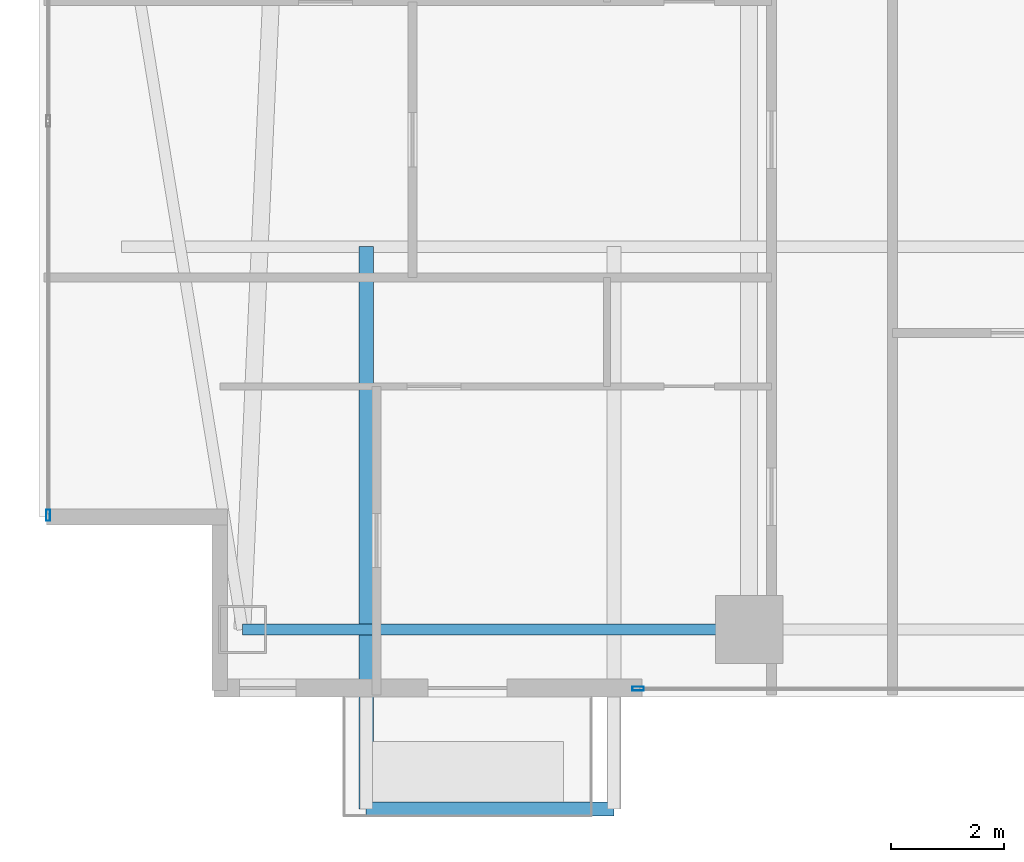
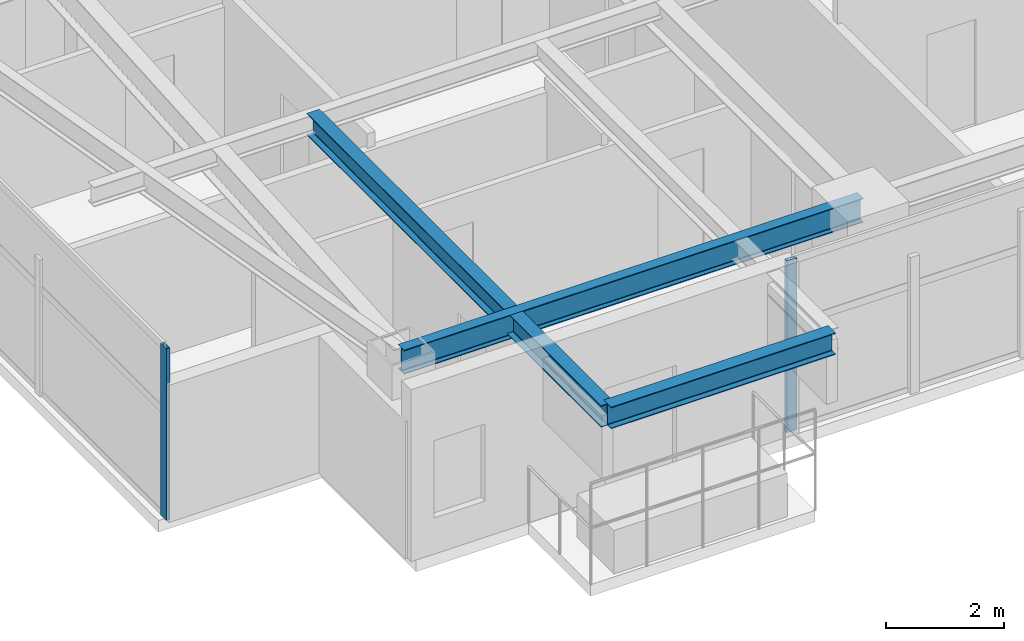
# One storey, part 2 of 29: 3 beams, 2 members, 2 elements without a shape of their own.
"""IFC4 building model written with IfcOpenShell, lengths in metres."""

import ifcopenshell
import ifcopenshell.guid

model = None  # the IFC model being written
_history = None  # IfcOwnerHistory: only IFC2X3 demands one
_inside = {}  # id of a spatial element -> (the spatial element, [elements in it])
_under = {}  # id of a project, library or spatial element -> (it, [spatial elements below it])
_declared = {}  # id of a project -> (the project, [libraries it declares])
_typed = {}  # id of a type object -> (the type object, [elements of that type])
_made_of = {}  # id of a material, layer set ... -> (it, [elements and type objects made of it])


def new_model(schema):
    """Start an empty IFC model of exactly this schema.

    Asked for "IFC4X3", IfcOpenShell would pick the latest addendum, in which some entities
    have other attributes; the version numbers below select the first issue.
    IFC2X3 requires an IfcOwnerHistory on every rooted entity: one is made here for all.
    """
    global model, _history
    if schema == "IFC4X3":
        model = ifcopenshell.file(schema_version=(4, 3, 0, 0))
    else:
        model = ifcopenshell.file(schema=schema)
    _inside.clear()
    _under.clear()
    _declared.clear()
    _typed.clear()
    _made_of.clear()
    _history = None
    if model.schema == "IFC2X3":
        org = make("IfcOrganization", Name="unknown")
        user = make(
            "IfcPersonAndOrganization",
            ThePerson=make("IfcPerson", FamilyName="unknown"),
            TheOrganization=org,
        )
        app = make(
            "IfcApplication",
            ApplicationDeveloper=org,
            Version="unknown",
            ApplicationFullName="unknown",
            ApplicationIdentifier="unknown",
        )
        _history = make(
            "IfcOwnerHistory",
            OwningUser=user,
            OwningApplication=app,
            ChangeAction="ADDED",
            CreationDate=0,
        )
    return model


def make(cls, **values):
    """One entity of the class cls with the attributes given. An attribute that is None is left unset."""
    return model.create_entity(
        cls, **{name: value for name, value in values.items() if value is not None}
    )


def rooted(cls, **values):
    """An entity with a GlobalId (a new one), such as an element, a storey or a relation."""
    return make(cls, GlobalId=ifcopenshell.guid.new(), OwnerHistory=_history, **values)


def si_unit(unit_type, name, prefix=None):
    """IfcSIUnit, for example si_unit("LENGTHUNIT", "METRE", prefix="MILLI")."""
    return make("IfcSIUnit", UnitType=unit_type, Prefix=prefix, Name=name)


def assignment(units):
    """IfcUnitAssignment: the units of a project."""
    return None if units is None else make("IfcUnitAssignment", Units=units)


def point(xyz):
    """IfcCartesianPoint."""
    return None if xyz is None else make("IfcCartesianPoint", Coordinates=xyz)


def direction(xyz):
    """IfcDirection."""
    return None if xyz is None else make("IfcDirection", DirectionRatios=xyz)


def frame(location, z_axis=None, x_axis=None):
    """IfcAxis2Placement3D, a coordinate frame: its origin and axes. An axis left out is left unset."""
    return make(
        "IfcAxis2Placement3D",
        Location=point(location),
        Axis=direction(z_axis),
        RefDirection=direction(x_axis),
    )


def frame_2d(location, x_axis=None):
    """IfcAxis2Placement2D, a coordinate frame in the plane: its origin and x axis."""
    return make(
        "IfcAxis2Placement2D", Location=point(location), RefDirection=direction(x_axis)
    )


def origin():
    """The frame at (0, 0, 0) with its axes left unset."""
    return frame((0.0, 0.0, 0.0))


def origin_2d():
    """The frame at (0, 0) in the plane with its x axis left unset."""
    return frame_2d((0.0, 0.0))


def place(relative_to, where):
    """IfcLocalPlacement: puts the frame where relative to a parent placement (None: the world)."""
    return make(
        "IfcLocalPlacement", PlacementRelTo=relative_to, RelativePlacement=where
    )


def context(
    kind, dimensions, precision=None, world=None, true_north=None, identifier=None
):
    """IfcGeometricRepresentationContext, for example the 3D "Model" context."""
    return make(
        "IfcGeometricRepresentationContext",
        ContextIdentifier=identifier,
        ContextType=kind,
        CoordinateSpaceDimension=dimensions,
        Precision=precision,
        WorldCoordinateSystem=world,
        TrueNorth=true_north,
    )


def subcontext(parent, identifier, kind, view, scale=None):
    """IfcGeometricRepresentationSubContext, for example "Body" below "Model"."""
    return make(
        "IfcGeometricRepresentationSubContext",
        ContextIdentifier=identifier,
        ContextType=kind,
        ParentContext=parent,
        TargetScale=scale,
        TargetView=view,
    )


def project(units=None, contexts=None):
    """IfcProject with its units and contexts."""
    return rooted(
        "IfcProject",
        Name="project",
        RepresentationContexts=contexts,
        UnitsInContext=assignment(units),
    )


def spatial(cls, under=None, at=None, **own):
    """A site, building, storey or space (cls), placed at a placement, below another one or the project."""
    s = rooted(cls, ObjectPlacement=at, **own)
    if under is not None:
        _under.setdefault(under.id(), (under, []))[1].append(s)
    return s


def profile(cls, at=None, kind="AREA", **sizes):
    """A parametric profile (cls). Its sizes go by their IFC names, for example OverallWidth=200.0."""
    return make(cls, ProfileType=kind, Position=at, **sizes)


def hollow_rectangle(**sizes):
    """IfcRectangleHollowProfileDef."""
    return profile("IfcRectangleHollowProfileDef", **sizes)


def i_section(**sizes):
    """IfcIShapeProfileDef."""
    return profile("IfcIShapeProfileDef", **sizes)


def extrude(swept, where, along, depth):
    """IfcExtrudedAreaSolid: the profile swept, set in the frame where, extruded along a direction by depth."""
    return make(
        "IfcExtrudedAreaSolid",
        SweptArea=swept,
        Position=where,
        ExtrudedDirection=direction(along),
        Depth=depth,
    )


def shape(context_of_items, identifier, shape_type, items):
    """IfcShapeRepresentation: the items that make up one representation, for example the "Body"."""
    return make(
        "IfcShapeRepresentation",
        ContextOfItems=context_of_items,
        RepresentationIdentifier=identifier,
        RepresentationType=shape_type,
        Items=items,
    )


def material(Name=None, Category=None):
    """IfcMaterial."""
    return make("IfcMaterial", Name=Name, Category=Category)


def layer(
    of_material, thickness, ventilated=None, Name=None, Category=None, Priority=None
):
    """IfcMaterialLayer: one layer of a wall or slab, of a material (None: an air gap)."""
    return make(
        "IfcMaterialLayer",
        Material=of_material,
        LayerThickness=thickness,
        IsVentilated=ventilated,
        Name=Name,
        Category=Category,
        Priority=Priority,
    )


def layer_set(layers, Name=None):
    """IfcMaterialLayerSet."""
    return make("IfcMaterialLayerSet", MaterialLayers=layers, LayerSetName=Name)


def material_profile(
    of_material, cross_section, Name=None, Category=None, Priority=None
):
    """IfcMaterialProfile: a cross section and its material."""
    return make(
        "IfcMaterialProfile",
        Name=Name,
        Material=of_material,
        Profile=cross_section,
        Priority=Priority,
        Category=Category,
    )


def profile_set(profiles, Name=None, composite=None):
    """IfcMaterialProfileSet."""
    return make(
        "IfcMaterialProfileSet",
        Name=Name,
        MaterialProfiles=profiles,
        CompositeProfile=composite,
    )


def made_of(thing, what):
    """Note that an element or type object is made of a material, layer set ...; save() writes the relation."""
    if what is not None:
        _made_of.setdefault(what.id(), (what, []))[1].append(thing)
    return thing


def type_object(cls, material=None, **own):
    """A type object (cls), such as IfcWallType, which elements share."""
    return made_of(rooted(cls, **own), material)


def element(
    cls,
    number,
    at=None,
    inside=None,
    cuts=None,
    type_object=None,
    material=None,
    context=None,
    identifier="Body",
    shape_type=None,
    held_by="IfcProductDefinitionShape",
    body=None,
    shapes=None,
    **own,
):
    """One element of the class cls, such as IfcWall. Its Tag is "e" and its number.

    at: its placement. inside: the storey or other place that contains it. cuts: it is an
    opening in that element (IfcRelVoidsElement). A single representation is given by context,
    identifier, shape_type and body (its items); several are given by shapes. held_by: the class
    of the entity that holds the representations. save() writes the other relations.
    """
    e = rooted(cls, Tag="e%d" % number, ObjectPlacement=at, **own)
    if body is not None:
        shapes = [shape(context, identifier, shape_type, body)]
    if shapes is not None:
        e.Representation = make(held_by, Representations=shapes)
    if inside is not None:
        _inside.setdefault(inside.id(), (inside, []))[1].append(e)
    if cuts is not None:
        rooted(
            "IfcRelVoidsElement", RelatingBuildingElement=cuts, RelatedOpeningElement=e
        )
    if type_object is not None:
        _typed.setdefault(type_object.id(), (type_object, []))[1].append(e)
    return made_of(e, material)


def aggregate(whole, parts):
    """IfcRelAggregates: a whole, such as a stair, and the parts it consists of."""
    return rooted("IfcRelAggregates", RelatingObject=whole, RelatedObjects=parts)


def save(model, path):
    """Write the relations noted so far, then the file.

    IfcRelAggregates (storeys below a building ...), IfcRelContainedInSpatialStructure (elements
    in a storey), IfcRelDefinesByType, IfcRelAssociatesMaterial and IfcRelDeclares: one each for
    every whole, place, type object, material and project.
    """
    for whole, parts in _under.values():
        aggregate(whole, parts)
    for where, things in _inside.values():
        rooted(
            "IfcRelContainedInSpatialStructure",
            RelatedElements=things,
            RelatingStructure=where,
        )
    for kind, things in _typed.values():
        rooted("IfcRelDefinesByType", RelatedObjects=things, RelatingType=kind)
    for what, things in _made_of.values():
        rooted("IfcRelAssociatesMaterial", RelatedObjects=things, RelatingMaterial=what)
    for by, libraries in _declared.values():
        rooted("IfcRelDeclares", RelatingContext=by, RelatedDefinitions=libraries)
    model.write(path)


model = new_model("IFC4")

# Units and contexts
model_context = context("Model", 3, precision=1e-05, world=origin(), true_north=direction((0.0, 1.0)))
body_context = subcontext(model_context, "Body", "Model", "MODEL_VIEW")
ifc_project = project(units=[si_unit("LENGTHUNIT", "METRE"), si_unit("AREAUNIT", "SQUARE_METRE"), si_unit("VOLUMEUNIT", "CUBIC_METRE"), si_unit("PLANEANGLEUNIT", "RADIAN"), si_unit("MASSUNIT", "GRAM", prefix="KILO")], contexts=[model_context])

# Site, building, storey
site_placement = place(None, origin())
site = spatial("IfcSite", under=ifc_project, at=site_placement, CompositionType="ELEMENT")
building_placement = place(site_placement, origin())
building = spatial("IfcBuilding", under=site, at=building_placement, Name="Calvorn Quay Hotel", CompositionType="ELEMENT")
storey_placement = place(building_placement, frame((0.0, 0.0, 124.0)))
storey = spatial("IfcBuildingStorey", under=building, at=storey_placement, Name="L30", CompositionType="ELEMENT", Elevation=124.0)

# Beams
ifc_material_1 = material(Name="Steel Q355B", Category="steel")
ifc_material_profile_1 = material_profile(ifc_material_1, i_section(OverallWidth=0.25, OverallDepth=0.449951171875, WebThickness=0.011962890625, FlangeThickness=0.01611328125, FilletRadius=0.01611328125, at=origin_2d()), Name="HN450x250x12x16")
ifc_profile_set_1 = profile_set([ifc_material_profile_1], Name="Steel Q355B")
beam_type_1 = type_object("IfcBeamType", Name="BM-CANT-BALC", PredefinedType="BEAM", material=ifc_profile_set_1)
beam_1_placement = place(storey_placement, frame((5.800048828125, 10.39990234375, 3.31494140625), z_axis=(0.0, -1.0, 0.0), x_axis=(1.0, 0.0, 0.0)))
element("IfcBeam", 1, at=beam_1_placement, inside=storey, type_object=beam_type_1, Name="Cantilever Balcony Beam BCB-L31-2A", PredefinedType="BEAM", context=body_context, shape_type="SweptSolid", body=[
    extrude(i_section(OverallWidth=0.25, OverallDepth=0.449951171875, WebThickness=0.011962890625, FlangeThickness=0.01611328125, FilletRadius=0.01611328125, at=origin_2d()), origin(), (0.0, 0.0, 1.0), 9.989990234375),
])
beam_2_placement = place(storey_placement, frame((5.800048828125, 0.409912109375, 3.31494140625), z_axis=(1.0, 0.0, 0.0), x_axis=(0.0, 1.0, 0.0)))
element("IfcBeam", 2, at=beam_2_placement, inside=storey, type_object=beam_type_1, Name="Beam BCBO-L31-2", PredefinedType="BEAM", context=body_context, shape_type="SweptSolid", body=[
    extrude(i_section(OverallWidth=0.25, OverallDepth=0.449951171875, WebThickness=0.011962890625, FlangeThickness=0.01611328125, FilletRadius=0.01611328125, at=origin_2d()), origin(), (0.0, 0.0, 1.0), 4.39990234375),
])
ifc_material_2 = material(Name="Steel Q355B", Category="steel")
ifc_material_profile_2 = material_profile(ifc_material_2, i_section(OverallWidth=0.199951171875, OverallDepth=0.5, WebThickness=0.010009765625, FlangeThickness=0.01611328125, FilletRadius=0.01611328125, at=origin_2d()), Name="HN500x200x10x16")
ifc_profile_set_2 = profile_set([ifc_material_profile_2], Name="Steel Q355B")
beam_type_2 = type_object("IfcBeamType", Name="BM-SPANDREL-Z1", PredefinedType="SPANDREL", material=ifc_profile_set_2)
beam_3_placement = place(storey_placement, frame((3.60009765625, 3.60009765625, 3.2900390625), z_axis=(1.0, 0.0, 0.0), x_axis=(0.0, 1.0, 0.0)))
element("IfcBeam", 3, at=beam_3_placement, inside=storey, type_object=beam_type_2, Name="Beam BSP-L30-S1", PredefinedType="SPANDREL", context=body_context, shape_type="SweptSolid", body=[
    extrude(i_section(OverallWidth=0.199951171875, OverallDepth=0.5, WebThickness=0.010009765625, FlangeThickness=0.01611328125, FilletRadius=0.01611328125, at=origin_2d()), origin(), (0.0, 0.0, 1.0), 9.0),
])

# Curtain wall, member
ifc_material_3 = material(Name="Pale Anodised Aluminium and Low-E Glass", Category="aluminium")
ifc_layer = layer(ifc_material_3, 0.219970703125)
ifc_layer_set = layer_set([ifc_layer], Name="CW-SYS-Z2")
curtain_wall_type = type_object("IfcCurtainWallType", Name="CW-SYS-Z2", PredefinedType="NOTDEFINED", material=ifc_layer_set)
curtain_wall_1_placement = place(storey_placement, origin())
curtain_wall_1 = element("IfcCurtainWall", 4, at=curtain_wall_1_placement, inside=storey, type_object=curtain_wall_type, Name="Tower West Curtain Wall (L30)", PredefinedType="NOTDEFINED")
ifc_material_4 = material(Name="Pale Anodised Aluminium 6063-T6", Category="aluminium")
ifc_material_profile_3 = material_profile(ifc_material_4, hollow_rectangle(XDim=0.070068359375, YDim=0.199951171875, WallThickness=0.00390625, at=origin_2d()), Name="ALU-M200x70x4")
ifc_profile_set_3 = profile_set([ifc_material_profile_3], Name="Pale Anodised Aluminium 6063-T6")
member_type = type_object("IfcMemberType", Name="CW-SYS-Z2-MUL", PredefinedType="MULLION", material=ifc_profile_set_3)
member_1_placement = place(storey_placement, frame((0.14990234375, 5.6298828125, 0.0), z_axis=(0.0, 0.0, 1.0), x_axis=(-1.0, 0.0, 0.0)))
member_1 = element("IfcMember", 5, at=member_1_placement, type_object=member_type, Name="CW-L30-W mullion 1", PredefinedType="MULLION", context=body_context, shape_type="SweptSolid", body=[
    extrude(hollow_rectangle(XDim=0.070068359375, YDim=0.199951171875, WallThickness=0.00390625, at=origin_2d()), origin(), (0.0, 0.0, 1.0), 3.56005859375),
])
aggregate(curtain_wall_1, [member_1])

curtain_wall_2_placement = place(storey_placement, origin())
curtain_wall_2 = element("IfcCurtainWall", 6, at=curtain_wall_2_placement, inside=storey, type_object=curtain_wall_type, Name="Tower South Waterfront Curtain Wall (L30)", PredefinedType="NOTDEFINED")
member_2_placement = place(storey_placement, frame((10.6298828125, 2.550048828125, 0.0), z_axis=(0.0, 0.0, 1.0), x_axis=(0.0, 1.0, 0.0)))
member_2 = element("IfcMember", 7, at=member_2_placement, type_object=member_type, Name="CW-L30-S mullion 1", PredefinedType="MULLION", context=body_context, shape_type="SweptSolid", body=[
    extrude(hollow_rectangle(XDim=0.070068359375, YDim=0.199951171875, WallThickness=0.00390625, at=origin_2d()), origin(), (0.0, 0.0, 1.0), 3.56005859375),
])
aggregate(curtain_wall_2, [member_2])

save(model, "model.ifc")
